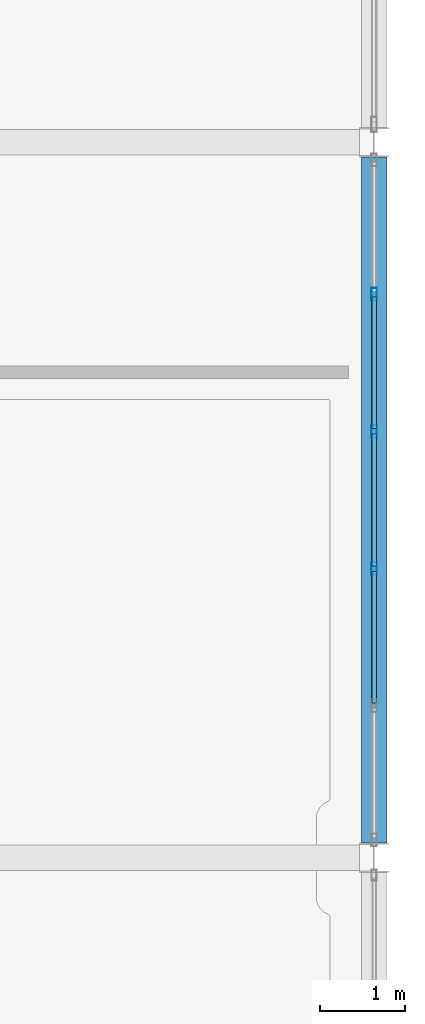
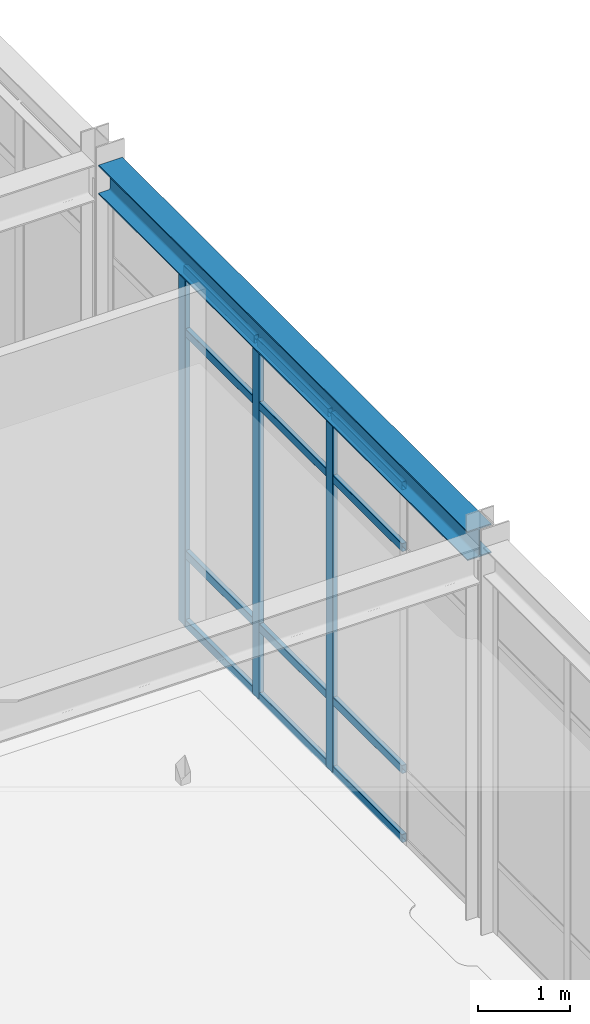
# One storey, part 21 of 80: 15 members, 1 beam, 1 element without a shape of its own.
"""IFC4 building model written with IfcOpenShell, lengths in metres."""

from ifc_helpers import new_model, si_unit, direction, frame, origin, origin_2d, place, context, subcontext, project, spatial, hollow_rectangle, i_section, extrude, material, material_profile, profile_set, type_object, element, aggregate, save


model = new_model("IFC4")

# Units and contexts
model_context = context("Model", 3, precision=1e-05, world=origin(), true_north=direction((0.0, 1.0)))
body_context = subcontext(model_context, "Body", "Model", "MODEL_VIEW")
ifc_project = project(units=[si_unit("LENGTHUNIT", "METRE"), si_unit("AREAUNIT", "SQUARE_METRE"), si_unit("VOLUMEUNIT", "CUBIC_METRE"), si_unit("PLANEANGLEUNIT", "RADIAN"), si_unit("MASSUNIT", "GRAM", prefix="KILO")], contexts=[model_context])

# Site, building, storey
site_placement = place(None, origin())
site = spatial("IfcSite", under=ifc_project, at=site_placement, CompositionType="ELEMENT")
building_placement = place(site_placement, origin())
building = spatial("IfcBuilding", under=site, at=building_placement, Name="Canglan Escarpment Cableway Terminal", CompositionType="ELEMENT")
storey_placement = place(building_placement, frame((0.0, 0.0, 19.199951171875)))
storey = spatial("IfcBuildingStorey", under=building, at=storey_placement, Name="L04", CompositionType="ELEMENT", Elevation=19.199951171875)

# Beam
ifc_material_1 = material(Name="Steel Q355B", Category="steel")
ifc_material_profile_1 = material_profile(ifc_material_1, i_section(OverallWidth=0.300048828125, OverallDepth=0.389892578125, WebThickness=0.010009765625, FlangeThickness=0.01611328125, FilletRadius=0.02197265625, at=origin_2d()), Name="HM 390x300x10x16")
ifc_profile_set_1 = profile_set([ifc_material_profile_1], Name="Steel Q355B")
beam_type = type_object("IfcBeamType", Name="BM-ARCH-TOP-HM390", PredefinedType="BEAM", material=ifc_profile_set_1)
beam_placement = place(storey_placement, frame((166.39990234375, 16.574951171875, 4.965087890625), z_axis=(0.0, 1.0, 0.0), x_axis=(-1.0, 0.0, 0.0)))
element("IfcBeam", 1, at=beam_placement, inside=storey, type_object=beam_type, Name="Primary transverse girder AR-TC1", PredefinedType="BEAM", context=body_context, shape_type="SweptSolid", body=[
    extrude(i_section(OverallWidth=0.300048828125, OverallDepth=0.389892578125, WebThickness=0.010009765625, FlangeThickness=0.01611328125, FilletRadius=0.02197265625, at=origin_2d()), origin(), (0.0, 0.0, 1.0), 8.050048828125),
])

# Curtain wall, members
ifc_material_2 = material(Name="Anodized bronze aluminium and Low-E double glazing", Category="aluminium")
curtain_wall_type = type_object("IfcCurtainWallType", Name="CW-BAY-8050x4750", PredefinedType="NOTDEFINED", material=ifc_material_2)
curtain_wall_placement = place(storey_placement, origin())
curtain_wall = element("IfcCurtainWall", 2, at=curtain_wall_placement, inside=storey, type_object=curtain_wall_type, Name="Classical bay-between-piers glazed curtain wall CW-34", PredefinedType="NOTDEFINED")
ifc_material_3 = material(Name="Thermally broken anodized aluminium 6063-T6", Category="aluminium")
ifc_material_profile_2 = material_profile(ifc_material_3, hollow_rectangle(XDim=0.06494140625, YDim=0.14990234375, WallThickness=0.00341796875, InnerFilletRadius=0.00341796875, OuterFilletRadius=0.007080078125, at=origin_2d()), Name="ALU-MULL 65x150x3.5")
ifc_profile_set_2 = profile_set([ifc_material_profile_2], Name="Thermally broken anodized aluminium 6063-T6")
member_type_1 = type_object("IfcMemberType", Name="CWM-02", PredefinedType="MULLION", material=ifc_profile_set_2)
member_1_placement = place(storey_placement, frame((166.39990234375, 19.794921875, 0.0), z_axis=(0.0, 0.0, 1.0), x_axis=(-1.0, 0.0, 0.0)))
member_1 = element("IfcMember", 3, at=member_1_placement, type_object=member_type_1, Name="CW-34 mullion 3", PredefinedType="MULLION", context=body_context, shape_type="SweptSolid", body=[
    extrude(hollow_rectangle(XDim=0.06494140625, YDim=0.14990234375, WallThickness=0.00341796875, InnerFilletRadius=0.00341796875, OuterFilletRadius=0.007080078125, at=origin_2d()), origin(), (0.0, 0.0, 1.0), 4.755126953125),
])
member_2_placement = place(storey_placement, frame((166.39990234375, 21.405029296875, 0.0), z_axis=(0.0, 0.0, 1.0), x_axis=(-1.0, 0.0, 0.0)))
member_2 = element("IfcMember", 4, at=member_2_placement, type_object=member_type_1, Name="CW-34 mullion 4", PredefinedType="MULLION", context=body_context, shape_type="SweptSolid", body=[
    extrude(hollow_rectangle(XDim=0.06494140625, YDim=0.14990234375, WallThickness=0.00341796875, InnerFilletRadius=0.00341796875, OuterFilletRadius=0.007080078125, at=origin_2d()), origin(), (0.0, 0.0, 1.0), 4.755126953125),
])
member_3_placement = place(storey_placement, frame((166.39990234375, 23.014892578125, 0.0), z_axis=(0.0, 0.0, 1.0), x_axis=(-1.0, 0.0, 0.0)))
member_3 = element("IfcMember", 5, at=member_3_placement, type_object=member_type_1, Name="CW-34 mullion 5", PredefinedType="MULLION", context=body_context, shape_type="SweptSolid", body=[
    extrude(hollow_rectangle(XDim=0.06494140625, YDim=0.14990234375, WallThickness=0.00341796875, InnerFilletRadius=0.00341796875, OuterFilletRadius=0.007080078125, at=origin_2d()), origin(), (0.0, 0.0, 1.0), 4.755126953125),
])
ifc_material_profile_3 = material_profile(ifc_material_3, hollow_rectangle(XDim=0.06005859375, YDim=0.110107421875, WallThickness=0.0029296875, InnerFilletRadius=0.0029296875, OuterFilletRadius=0.006103515625, at=origin_2d()), Name="ALU-TRAN 60x110x3")
ifc_profile_set_3 = profile_set([ifc_material_profile_3], Name="Thermally broken anodized aluminium 6063-T6")
member_type_2 = type_object("IfcMemberType", Name="CWT-02", PredefinedType="USERDEFINED", material=ifc_profile_set_3)
member_4_placement = place(storey_placement, frame((166.39990234375, 18.217529296875, 0.030029296875), z_axis=(0.0, 1.0, 0.0), x_axis=(-1.0, 0.0, 0.0)))
member_4 = element("IfcMember", 6, at=member_4_placement, type_object=member_type_2, Name="CW-34 transom 2.1", ObjectType="TRANSOM", PredefinedType="USERDEFINED", context=body_context, shape_type="SweptSolid", body=[
    extrude(hollow_rectangle(XDim=0.06005859375, YDim=0.110107421875, WallThickness=0.0029296875, InnerFilletRadius=0.0029296875, OuterFilletRadius=0.006103515625, at=origin_2d()), origin(), (0.0, 0.0, 1.0), 1.544921875),
])
member_5_placement = place(storey_placement, frame((166.39990234375, 18.217529296875, 0.949951171875), z_axis=(0.0, 1.0, 0.0), x_axis=(-1.0, 0.0, 0.0)))
member_5 = element("IfcMember", 7, at=member_5_placement, type_object=member_type_2, Name="CW-34 transom 2.2", ObjectType="TRANSOM", PredefinedType="USERDEFINED", context=body_context, shape_type="SweptSolid", body=[
    extrude(hollow_rectangle(XDim=0.06005859375, YDim=0.110107421875, WallThickness=0.0029296875, InnerFilletRadius=0.0029296875, OuterFilletRadius=0.006103515625, at=origin_2d()), origin(), (0.0, 0.0, 1.0), 1.544921875),
])
member_6_placement = place(storey_placement, frame((166.39990234375, 18.217529296875, 3.905029296875), z_axis=(0.0, 1.0, 0.0), x_axis=(-1.0, 0.0, 0.0)))
member_6 = element("IfcMember", 8, at=member_6_placement, type_object=member_type_2, Name="CW-34 transom 2.3", ObjectType="TRANSOM", PredefinedType="USERDEFINED", context=body_context, shape_type="SweptSolid", body=[
    extrude(hollow_rectangle(XDim=0.06005859375, YDim=0.110107421875, WallThickness=0.0029296875, InnerFilletRadius=0.0029296875, OuterFilletRadius=0.006103515625, at=origin_2d()), origin(), (0.0, 0.0, 1.0), 1.544921875),
])
member_7_placement = place(storey_placement, frame((166.39990234375, 18.217529296875, 4.72509765625), z_axis=(0.0, 1.0, 0.0), x_axis=(-1.0, 0.0, 0.0)))
member_7 = element("IfcMember", 9, at=member_7_placement, type_object=member_type_2, Name="CW-34 transom 2.4", ObjectType="TRANSOM", PredefinedType="USERDEFINED", context=body_context, shape_type="SweptSolid", body=[
    extrude(hollow_rectangle(XDim=0.06005859375, YDim=0.110107421875, WallThickness=0.0029296875, InnerFilletRadius=0.0029296875, OuterFilletRadius=0.006103515625, at=origin_2d()), origin(), (0.0, 0.0, 1.0), 1.544921875),
])
member_8_placement = place(storey_placement, frame((166.39990234375, 19.827392578125, 0.030029296875), z_axis=(0.0, 1.0, 0.0), x_axis=(-1.0, 0.0, 0.0)))
member_8 = element("IfcMember", 10, at=member_8_placement, type_object=member_type_2, Name="CW-34 transom 3.1", ObjectType="TRANSOM", PredefinedType="USERDEFINED", context=body_context, shape_type="SweptSolid", body=[
    extrude(hollow_rectangle(XDim=0.06005859375, YDim=0.110107421875, WallThickness=0.0029296875, InnerFilletRadius=0.0029296875, OuterFilletRadius=0.006103515625, at=origin_2d()), origin(), (0.0, 0.0, 1.0), 1.545166015625),
])
member_9_placement = place(storey_placement, frame((166.39990234375, 19.827392578125, 0.949951171875), z_axis=(0.0, 1.0, 0.0), x_axis=(-1.0, 0.0, 0.0)))
member_9 = element("IfcMember", 11, at=member_9_placement, type_object=member_type_2, Name="CW-34 transom 3.2", ObjectType="TRANSOM", PredefinedType="USERDEFINED", context=body_context, shape_type="SweptSolid", body=[
    extrude(hollow_rectangle(XDim=0.06005859375, YDim=0.110107421875, WallThickness=0.0029296875, InnerFilletRadius=0.0029296875, OuterFilletRadius=0.006103515625, at=origin_2d()), origin(), (0.0, 0.0, 1.0), 1.545166015625),
])
member_10_placement = place(storey_placement, frame((166.39990234375, 19.827392578125, 3.905029296875), z_axis=(0.0, 1.0, 0.0), x_axis=(-1.0, 0.0, 0.0)))
member_10 = element("IfcMember", 12, at=member_10_placement, type_object=member_type_2, Name="CW-34 transom 3.3", ObjectType="TRANSOM", PredefinedType="USERDEFINED", context=body_context, shape_type="SweptSolid", body=[
    extrude(hollow_rectangle(XDim=0.06005859375, YDim=0.110107421875, WallThickness=0.0029296875, InnerFilletRadius=0.0029296875, OuterFilletRadius=0.006103515625, at=origin_2d()), origin(), (0.0, 0.0, 1.0), 1.545166015625),
])
member_11_placement = place(storey_placement, frame((166.39990234375, 19.827392578125, 4.72509765625), z_axis=(0.0, 1.0, 0.0), x_axis=(-1.0, 0.0, 0.0)))
member_11 = element("IfcMember", 13, at=member_11_placement, type_object=member_type_2, Name="CW-34 transom 3.4", ObjectType="TRANSOM", PredefinedType="USERDEFINED", context=body_context, shape_type="SweptSolid", body=[
    extrude(hollow_rectangle(XDim=0.06005859375, YDim=0.110107421875, WallThickness=0.0029296875, InnerFilletRadius=0.0029296875, OuterFilletRadius=0.006103515625, at=origin_2d()), origin(), (0.0, 0.0, 1.0), 1.545166015625),
])
member_12_placement = place(storey_placement, frame((166.39990234375, 21.4375, 0.030029296875), z_axis=(0.0, 1.0, 0.0), x_axis=(-1.0, 0.0, 0.0)))
member_12 = element("IfcMember", 14, at=member_12_placement, type_object=member_type_2, Name="CW-34 transom 4.1", ObjectType="TRANSOM", PredefinedType="USERDEFINED", context=body_context, shape_type="SweptSolid", body=[
    extrude(hollow_rectangle(XDim=0.06005859375, YDim=0.110107421875, WallThickness=0.0029296875, InnerFilletRadius=0.0029296875, OuterFilletRadius=0.006103515625, at=origin_2d()), origin(), (0.0, 0.0, 1.0), 1.544921875),
])
member_13_placement = place(storey_placement, frame((166.39990234375, 21.4375, 0.949951171875), z_axis=(0.0, 1.0, 0.0), x_axis=(-1.0, 0.0, 0.0)))
member_13 = element("IfcMember", 15, at=member_13_placement, type_object=member_type_2, Name="CW-34 transom 4.2", ObjectType="TRANSOM", PredefinedType="USERDEFINED", context=body_context, shape_type="SweptSolid", body=[
    extrude(hollow_rectangle(XDim=0.06005859375, YDim=0.110107421875, WallThickness=0.0029296875, InnerFilletRadius=0.0029296875, OuterFilletRadius=0.006103515625, at=origin_2d()), origin(), (0.0, 0.0, 1.0), 1.544921875),
])
member_14_placement = place(storey_placement, frame((166.39990234375, 21.4375, 3.905029296875), z_axis=(0.0, 1.0, 0.0), x_axis=(-1.0, 0.0, 0.0)))
member_14 = element("IfcMember", 16, at=member_14_placement, type_object=member_type_2, Name="CW-34 transom 4.3", ObjectType="TRANSOM", PredefinedType="USERDEFINED", context=body_context, shape_type="SweptSolid", body=[
    extrude(hollow_rectangle(XDim=0.06005859375, YDim=0.110107421875, WallThickness=0.0029296875, InnerFilletRadius=0.0029296875, OuterFilletRadius=0.006103515625, at=origin_2d()), origin(), (0.0, 0.0, 1.0), 1.544921875),
])
member_15_placement = place(storey_placement, frame((166.39990234375, 21.4375, 4.72509765625), z_axis=(0.0, 1.0, 0.0), x_axis=(-1.0, 0.0, 0.0)))
member_15 = element("IfcMember", 17, at=member_15_placement, type_object=member_type_2, Name="CW-34 transom 4.4", ObjectType="TRANSOM", PredefinedType="USERDEFINED", context=body_context, shape_type="SweptSolid", body=[
    extrude(hollow_rectangle(XDim=0.06005859375, YDim=0.110107421875, WallThickness=0.0029296875, InnerFilletRadius=0.0029296875, OuterFilletRadius=0.006103515625, at=origin_2d()), origin(), (0.0, 0.0, 1.0), 1.544921875),
])
aggregate(curtain_wall, [member_1, member_2, member_3, member_4, member_5, member_6, member_7, member_8, member_9, member_10, member_11, member_12, member_13, member_14, member_15])

save(model, "model.ifc")
